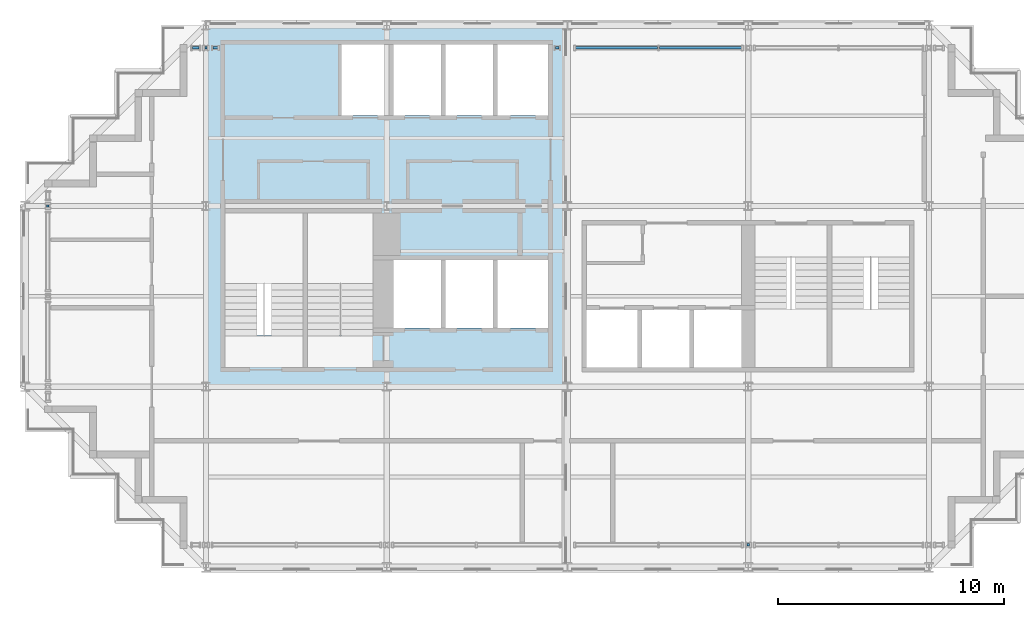
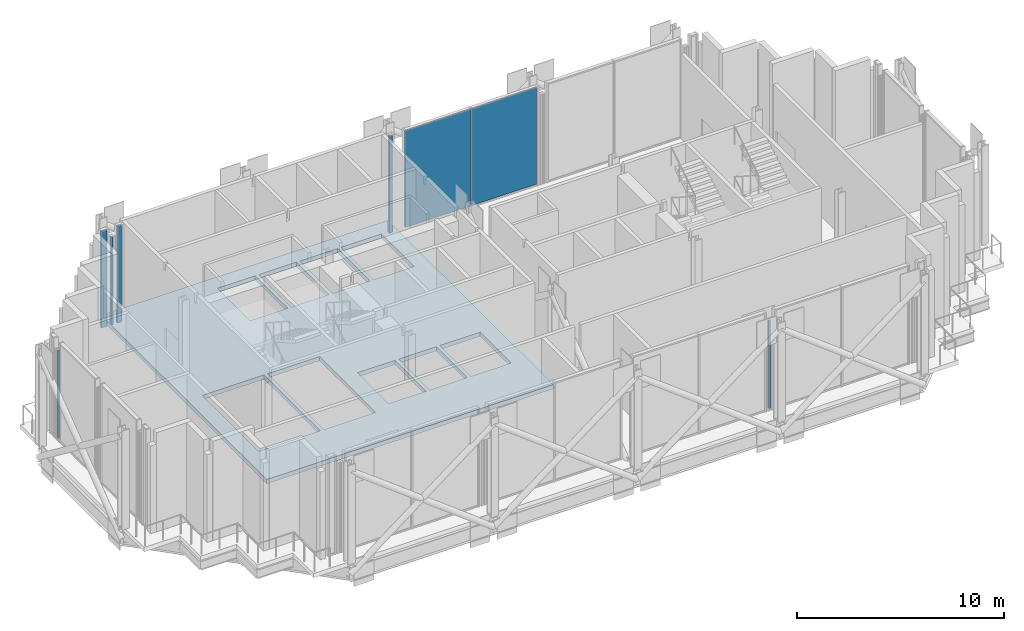
# One storey, part 9 of 16: 8 plates, 1 slab, 7 elements without a shape of their own.
"""IFC4 building model written with IfcOpenShell, lengths in metres."""

from ifc_helpers import new_model, si_unit, direction, frame, origin, origin_2d, place, context, subcontext, project, spatial, polyline, rectangle, outline, extrude, material, layer, layer_set, type_object, element, aggregate, save


model = new_model("IFC4")

# Units and contexts
model_context = context("Model", 3, precision=1e-05, world=origin(), true_north=direction((0.0, 1.0)))
body_context = subcontext(model_context, "Body", "Model", "MODEL_VIEW")
ifc_project = project(units=[si_unit("LENGTHUNIT", "METRE"), si_unit("AREAUNIT", "SQUARE_METRE"), si_unit("VOLUMEUNIT", "CUBIC_METRE"), si_unit("PLANEANGLEUNIT", "RADIAN"), si_unit("MASSUNIT", "GRAM", prefix="KILO")], contexts=[model_context])

# Site, building, storey
site_placement = place(None, origin())
site = spatial("IfcSite", under=ifc_project, at=site_placement, CompositionType="ELEMENT")
building_placement = place(site_placement, origin())
building = spatial("IfcBuilding", under=site, at=building_placement, Name="Immortelle Media Tower", CompositionType="ELEMENT")
storey_placement = place(building_placement, frame((0.0, 0.0, 241.0)))
storey = spatial("IfcBuildingStorey", under=building, at=storey_placement, Name="L52", CompositionType="ELEMENT", Elevation=241.0)

# Slab
ifc_material_1 = material(Name="Concrete C50/60", Category="concrete")
ifc_layer_1 = layer(ifc_material_1, 0.25)
ifc_layer_set_1 = layer_set([ifc_layer_1], Name="Concrete C50/60")
slab_type = type_object("IfcSlabType", Name="Core floor slab 250", PredefinedType="FLOOR", material=ifc_layer_set_1)
slab_placement = place(storey_placement, frame((0.0, 0.0, -0.25)))
element("IfcSlab", 1, at=slab_placement, inside=storey, type_object=slab_type, Name="Core floor SW", PredefinedType="FLOOR", context=body_context, shape_type="SweptSolid", body=[
    extrude(outline(polyline([(8.0, 8.0), (24.0, 8.0), (24.0, 24.0), (8.0, 24.0), (8.0, 8.0)]), holes=[polyline([(14.0, 20.0), (16.10009765625, 20.0), (16.10009765625, 23.14990234375), (14.0, 23.14990234375), (14.0, 20.0)]), polyline([(16.300048828125, 20.0), (18.39990234375, 20.0), (18.39990234375, 23.14990234375), (16.300048828125, 23.14990234375), (16.300048828125, 20.0)]), polyline([(18.60009765625, 20.0), (20.699951171875, 20.0), (20.699951171875, 23.14990234375), (18.60009765625, 23.14990234375), (18.60009765625, 20.0)]), polyline([(20.89990234375, 20.0), (23.14990234375, 20.0), (23.14990234375, 23.14990234375), (20.89990234375, 23.14990234375), (20.89990234375, 20.0)]), polyline([(16.300048828125, 10.60009765625), (18.39990234375, 10.60009765625), (18.39990234375, 13.60009765625), (16.300048828125, 13.60009765625), (16.300048828125, 10.60009765625)]), polyline([(18.60009765625, 10.60009765625), (20.699951171875, 10.60009765625), (20.699951171875, 13.60009765625), (18.60009765625, 13.60009765625), (18.60009765625, 10.60009765625)]), polyline([(20.89990234375, 10.60009765625), (23.14990234375, 10.60009765625), (23.14990234375, 13.60009765625), (20.89990234375, 13.60009765625), (20.89990234375, 10.60009765625)]), polyline([(8.85009765625, 10.27001953125), (12.300048828125, 10.27001953125), (12.300048828125, 15.699951171875), (8.85009765625, 15.699951171875), (8.85009765625, 10.27001953125)]), polyline([(12.5, 10.27001953125), (15.39990234375, 10.27001953125), (15.39990234375, 15.699951171875), (12.5, 15.699951171875), (12.5, 10.27001953125)])]), origin(), (0.0, 0.0, 1.0), 0.25),
])

# Curtain wall, plate
ifc_material_2 = material(Name="Aluminium curtain wall system", Category="aluminium")
curtain_wall_type = type_object("IfcCurtainWallType", Name="Plant louvre wall curtain wall", PredefinedType="NOTDEFINED", material=ifc_material_2)
curtain_wall_1_placement = place(storey_placement, origin())
curtain_wall_1 = element("IfcCurtainWall", 2, at=curtain_wall_1_placement, inside=storey, type_object=curtain_wall_type, Name="Plant louvre wall L52 S 7-8", PredefinedType="NOTDEFINED")
ifc_material_3 = material(Name="Pale aluminium louvre panel", Category="aluminium")
ifc_layer_2 = layer(ifc_material_3, 0.1201171875)
ifc_layer_set_2 = layer_set([ifc_layer_2], Name="Pale aluminium louvre panel")
plate_type = type_object("IfcPlateType", Name="Dust and storm rated louvre panel 120 mm", PredefinedType="CURTAIN_PANEL", material=ifc_layer_set_2)
plate_1_placement = place(storey_placement, frame((32.0, 1.0, 0.080078125), z_axis=(0.0, 0.0, 1.0), x_axis=(1.0, 0.0, 0.0)))
plate_1 = element("IfcPlate", 3, at=plate_1_placement, type_object=plate_type, Name="CW6 panel 1.1", PredefinedType="CURTAIN_PANEL", context=body_context, shape_type="SweptSolid", body=[
    extrude(rectangle(XDim=0.10693359375, YDim=0.1201171875, at=origin_2d()), origin(), (0.0, 0.0, 1.0), 5.153564453125),
])
aggregate(curtain_wall_1, [plate_1])

# Curtain wall, plates
curtain_wall_2_placement = place(storey_placement, origin())
curtain_wall_2 = element("IfcCurtainWall", 4, at=curtain_wall_2_placement, inside=storey, type_object=curtain_wall_type, Name="Plant louvre wall L52 N 21-6", PredefinedType="NOTDEFINED")
plate_2_placement = place(storey_placement, frame((29.8837890625, 23.0, 0.080078125), z_axis=(0.0, 0.0, 1.0), x_axis=(-1.0, 0.0, 0.0)))
plate_2 = element("IfcPlate", 5, at=plate_2_placement, type_object=plate_type, Name="CW6 panel 1.1", PredefinedType="CURTAIN_PANEL", context=body_context, shape_type="SweptSolid", body=[
    extrude(rectangle(XDim=3.625244140625, YDim=0.1201171875, at=origin_2d()), origin(), (0.0, 0.0, 1.0), 5.689453125),
])
plate_3_placement = place(storey_placement, frame((26.1787109375, 23.0, 0.080078125), z_axis=(0.0, 0.0, 1.0), x_axis=(-1.0, 0.0, 0.0)))
plate_3 = element("IfcPlate", 6, at=plate_3_placement, type_object=plate_type, Name="CW6 panel 2.1", PredefinedType="CURTAIN_PANEL", context=body_context, shape_type="SweptSolid", body=[
    extrude(rectangle(XDim=3.625244140625, YDim=0.1201171875, at=origin_2d()), origin(), (0.0, 0.0, 1.0), 5.689453125),
])
aggregate(curtain_wall_2, [plate_2, plate_3])

# Curtain wall, plate
curtain_wall_3_placement = place(storey_placement, origin())
curtain_wall_3 = element("IfcCurtainWall", 7, at=curtain_wall_3_placement, inside=storey, type_object=curtain_wall_type, Name="Plant louvre wall L52 N 21-7", PredefinedType="NOTDEFINED")
plate_4_placement = place(storey_placement, frame((23.5517578125, 23.0, 0.080078125), z_axis=(0.0, 0.0, 1.0), x_axis=(-1.0, 0.0, 0.0)))
plate_4 = element("IfcPlate", 8, at=plate_4_placement, type_object=plate_type, Name="CW6 panel 1.1", PredefinedType="CURTAIN_PANEL", context=body_context, shape_type="SweptSolid", body=[
    extrude(rectangle(XDim=0.16455078125, YDim=0.1201171875, at=origin_2d()), origin(), (0.0, 0.0, 1.0), 5.689453125),
])
aggregate(curtain_wall_3, [plate_4])

curtain_wall_4_placement = place(storey_placement, origin())
curtain_wall_4 = element("IfcCurtainWall", 9, at=curtain_wall_4_placement, inside=storey, type_object=curtain_wall_type, Name="Plant louvre wall L52 N 21-8", PredefinedType="NOTDEFINED")
plate_5_placement = place(storey_placement, frame((8.4169921875, 23.0, 0.080078125), z_axis=(0.0, 0.0, 1.0), x_axis=(-1.0, 0.0, 0.0)))
plate_5 = element("IfcPlate", 10, at=plate_5_placement, type_object=plate_type, Name="CW6 panel 1.1", PredefinedType="CURTAIN_PANEL", context=body_context, shape_type="SweptSolid", body=[
    extrude(rectangle(XDim=0.22705078125, YDim=0.1201171875, at=origin_2d()), origin(), (0.0, 0.0, 1.0), 5.689453125),
])
aggregate(curtain_wall_4, [plate_5])

curtain_wall_5_placement = place(storey_placement, origin())
curtain_wall_5 = element("IfcCurtainWall", 11, at=curtain_wall_5_placement, inside=storey, type_object=curtain_wall_type, Name="Plant louvre wall L52 N 21-9", PredefinedType="NOTDEFINED")
plate_6_placement = place(storey_placement, frame((8.0, 23.0, 0.080078125), z_axis=(0.0, 0.0, 1.0), x_axis=(-1.0, 0.0, 0.0)))
plate_6 = element("IfcPlate", 12, at=plate_6_placement, type_object=plate_type, Name="CW6 panel 1.1", PredefinedType="CURTAIN_PANEL", context=body_context, shape_type="SweptSolid", body=[
    extrude(rectangle(XDim=0.10693359375, YDim=0.1201171875, at=origin_2d()), origin(), (0.0, 0.0, 1.0), 5.153564453125),
])
aggregate(curtain_wall_5, [plate_6])

curtain_wall_6_placement = place(storey_placement, origin())
curtain_wall_6 = element("IfcCurtainWall", 13, at=curtain_wall_6_placement, inside=storey, type_object=curtain_wall_type, Name="Plant louvre wall L52 N 21-10", PredefinedType="NOTDEFINED")
plate_7_placement = place(storey_placement, frame((7.547607421875, 23.0, 0.080078125), z_axis=(0.0, 0.0, 1.0), x_axis=(-1.0, 0.0, 0.0)))
plate_7 = element("IfcPlate", 14, at=plate_7_placement, type_object=plate_type, Name="CW6 panel 1.1", PredefinedType="CURTAIN_PANEL", context=body_context, shape_type="SweptSolid", body=[
    extrude(rectangle(XDim=0.297607421875, YDim=0.1201171875, at=origin_2d()), origin(), (0.0, 0.0, 1.0), 5.689453125),
])
aggregate(curtain_wall_6, [plate_7])

curtain_wall_7_placement = place(storey_placement, origin())
curtain_wall_7 = element("IfcCurtainWall", 15, at=curtain_wall_7_placement, inside=storey, type_object=curtain_wall_type, Name="Plant louvre wall L52 W 28-3", PredefinedType="NOTDEFINED")
plate_8_placement = place(storey_placement, frame((1.0, 16.0, 0.080078125), z_axis=(0.0, 0.0, 1.0), x_axis=(0.0, -1.0, 0.0)))
plate_8 = element("IfcPlate", 16, at=plate_8_placement, type_object=plate_type, Name="CW6 panel 1.1", PredefinedType="CURTAIN_PANEL", context=body_context, shape_type="SweptSolid", body=[
    extrude(rectangle(XDim=0.10693359375, YDim=0.1201171875, at=origin_2d()), origin(), (0.0, 0.0, 1.0), 5.153564453125),
])
aggregate(curtain_wall_7, [plate_8])

save(model, "model.ifc")
